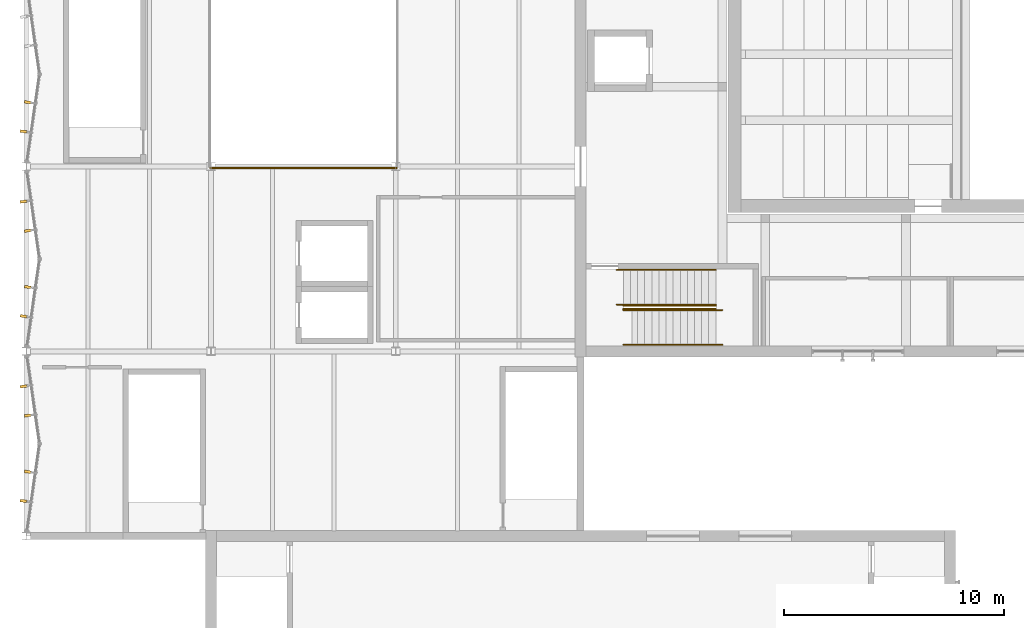
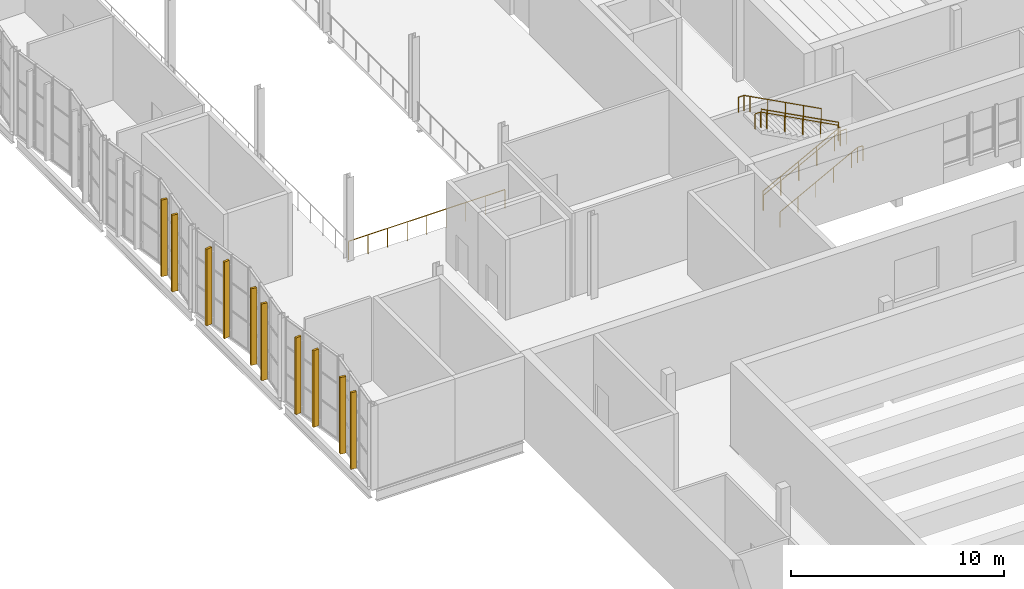
# One storey, part 103 of 116: 10 shading devices, 7 railings.
"""IFC4 building model written with IfcOpenShell, lengths in metres."""

import ifcopenshell
import ifcopenshell.guid

model = None  # the IFC model being written
_history = None  # IfcOwnerHistory: only IFC2X3 demands one
_inside = {}  # id of a spatial element -> (the spatial element, [elements in it])
_under = {}  # id of a project, library or spatial element -> (it, [spatial elements below it])
_declared = {}  # id of a project -> (the project, [libraries it declares])
_typed = {}  # id of a type object -> (the type object, [elements of that type])
_made_of = {}  # id of a material, layer set ... -> (it, [elements and type objects made of it])


def new_model(schema):
    """Start an empty IFC model of exactly this schema.

    Asked for "IFC4X3", IfcOpenShell would pick the latest addendum, in which some entities
    have other attributes; the version numbers below select the first issue.
    IFC2X3 requires an IfcOwnerHistory on every rooted entity: one is made here for all.
    """
    global model, _history
    if schema == "IFC4X3":
        model = ifcopenshell.file(schema_version=(4, 3, 0, 0))
    else:
        model = ifcopenshell.file(schema=schema)
    _inside.clear()
    _under.clear()
    _declared.clear()
    _typed.clear()
    _made_of.clear()
    _history = None
    if model.schema == "IFC2X3":
        org = make("IfcOrganization", Name="unknown")
        user = make(
            "IfcPersonAndOrganization",
            ThePerson=make("IfcPerson", FamilyName="unknown"),
            TheOrganization=org,
        )
        app = make(
            "IfcApplication",
            ApplicationDeveloper=org,
            Version="unknown",
            ApplicationFullName="unknown",
            ApplicationIdentifier="unknown",
        )
        _history = make(
            "IfcOwnerHistory",
            OwningUser=user,
            OwningApplication=app,
            ChangeAction="ADDED",
            CreationDate=0,
        )
    return model


def make(cls, **values):
    """One entity of the class cls with the attributes given. An attribute that is None is left unset."""
    return model.create_entity(
        cls, **{name: value for name, value in values.items() if value is not None}
    )


def rooted(cls, **values):
    """An entity with a GlobalId (a new one), such as an element, a storey or a relation."""
    return make(cls, GlobalId=ifcopenshell.guid.new(), OwnerHistory=_history, **values)


def si_unit(unit_type, name, prefix=None):
    """IfcSIUnit, for example si_unit("LENGTHUNIT", "METRE", prefix="MILLI")."""
    return make("IfcSIUnit", UnitType=unit_type, Prefix=prefix, Name=name)


def assignment(units):
    """IfcUnitAssignment: the units of a project."""
    return None if units is None else make("IfcUnitAssignment", Units=units)


def point(xyz):
    """IfcCartesianPoint."""
    return None if xyz is None else make("IfcCartesianPoint", Coordinates=xyz)


def direction(xyz):
    """IfcDirection."""
    return None if xyz is None else make("IfcDirection", DirectionRatios=xyz)


def frame(location, z_axis=None, x_axis=None):
    """IfcAxis2Placement3D, a coordinate frame: its origin and axes. An axis left out is left unset."""
    return make(
        "IfcAxis2Placement3D",
        Location=point(location),
        Axis=direction(z_axis),
        RefDirection=direction(x_axis),
    )


def frame_2d(location, x_axis=None):
    """IfcAxis2Placement2D, a coordinate frame in the plane: its origin and x axis."""
    return make(
        "IfcAxis2Placement2D", Location=point(location), RefDirection=direction(x_axis)
    )


def origin():
    """The frame at (0, 0, 0) with its axes left unset."""
    return frame((0.0, 0.0, 0.0))


def origin_2d():
    """The frame at (0, 0) in the plane with its x axis left unset."""
    return frame_2d((0.0, 0.0))


def place(relative_to, where):
    """IfcLocalPlacement: puts the frame where relative to a parent placement (None: the world)."""
    return make(
        "IfcLocalPlacement", PlacementRelTo=relative_to, RelativePlacement=where
    )


def context(
    kind, dimensions, precision=None, world=None, true_north=None, identifier=None
):
    """IfcGeometricRepresentationContext, for example the 3D "Model" context."""
    return make(
        "IfcGeometricRepresentationContext",
        ContextIdentifier=identifier,
        ContextType=kind,
        CoordinateSpaceDimension=dimensions,
        Precision=precision,
        WorldCoordinateSystem=world,
        TrueNorth=true_north,
    )


def subcontext(parent, identifier, kind, view, scale=None):
    """IfcGeometricRepresentationSubContext, for example "Body" below "Model"."""
    return make(
        "IfcGeometricRepresentationSubContext",
        ContextIdentifier=identifier,
        ContextType=kind,
        ParentContext=parent,
        TargetScale=scale,
        TargetView=view,
    )


def project(units=None, contexts=None):
    """IfcProject with its units and contexts."""
    return rooted(
        "IfcProject",
        Name="project",
        RepresentationContexts=contexts,
        UnitsInContext=assignment(units),
    )


def spatial(cls, under=None, at=None, **own):
    """A site, building, storey or space (cls), placed at a placement, below another one or the project."""
    s = rooted(cls, ObjectPlacement=at, **own)
    if under is not None:
        _under.setdefault(under.id(), (under, []))[1].append(s)
    return s


def profile(cls, at=None, kind="AREA", **sizes):
    """A parametric profile (cls). Its sizes go by their IFC names, for example OverallWidth=200.0."""
    return make(cls, ProfileType=kind, Position=at, **sizes)


def rectangle(**sizes):
    """IfcRectangleProfileDef."""
    return profile("IfcRectangleProfileDef", **sizes)


def circle(**sizes):
    """IfcCircleProfileDef."""
    return profile("IfcCircleProfileDef", **sizes)


def extrude(swept, where, along, depth):
    """IfcExtrudedAreaSolid: the profile swept, set in the frame where, extruded along a direction by depth."""
    return make(
        "IfcExtrudedAreaSolid",
        SweptArea=swept,
        Position=where,
        ExtrudedDirection=direction(along),
        Depth=depth,
    )


def shape(context_of_items, identifier, shape_type, items):
    """IfcShapeRepresentation: the items that make up one representation, for example the "Body"."""
    return make(
        "IfcShapeRepresentation",
        ContextOfItems=context_of_items,
        RepresentationIdentifier=identifier,
        RepresentationType=shape_type,
        Items=items,
    )


def material(Name=None, Category=None):
    """IfcMaterial."""
    return make("IfcMaterial", Name=Name, Category=Category)


def made_of(thing, what):
    """Note that an element or type object is made of a material, layer set ...; save() writes the relation."""
    if what is not None:
        _made_of.setdefault(what.id(), (what, []))[1].append(thing)
    return thing


def type_object(cls, material=None, **own):
    """A type object (cls), such as IfcWallType, which elements share."""
    return made_of(rooted(cls, **own), material)


def element(
    cls,
    number,
    at=None,
    inside=None,
    cuts=None,
    type_object=None,
    material=None,
    context=None,
    identifier="Body",
    shape_type=None,
    held_by="IfcProductDefinitionShape",
    body=None,
    shapes=None,
    **own,
):
    """One element of the class cls, such as IfcWall. Its Tag is "e" and its number.

    at: its placement. inside: the storey or other place that contains it. cuts: it is an
    opening in that element (IfcRelVoidsElement). A single representation is given by context,
    identifier, shape_type and body (its items); several are given by shapes. held_by: the class
    of the entity that holds the representations. save() writes the other relations.
    """
    e = rooted(cls, Tag="e%d" % number, ObjectPlacement=at, **own)
    if body is not None:
        shapes = [shape(context, identifier, shape_type, body)]
    if shapes is not None:
        e.Representation = make(held_by, Representations=shapes)
    if inside is not None:
        _inside.setdefault(inside.id(), (inside, []))[1].append(e)
    if cuts is not None:
        rooted(
            "IfcRelVoidsElement", RelatingBuildingElement=cuts, RelatedOpeningElement=e
        )
    if type_object is not None:
        _typed.setdefault(type_object.id(), (type_object, []))[1].append(e)
    return made_of(e, material)


def aggregate(whole, parts):
    """IfcRelAggregates: a whole, such as a stair, and the parts it consists of."""
    return rooted("IfcRelAggregates", RelatingObject=whole, RelatedObjects=parts)


def save(model, path):
    """Write the relations noted so far, then the file.

    IfcRelAggregates (storeys below a building ...), IfcRelContainedInSpatialStructure (elements
    in a storey), IfcRelDefinesByType, IfcRelAssociatesMaterial and IfcRelDeclares: one each for
    every whole, place, type object, material and project.
    """
    for whole, parts in _under.values():
        aggregate(whole, parts)
    for where, things in _inside.values():
        rooted(
            "IfcRelContainedInSpatialStructure",
            RelatedElements=things,
            RelatingStructure=where,
        )
    for kind, things in _typed.values():
        rooted("IfcRelDefinesByType", RelatedObjects=things, RelatingType=kind)
    for what, things in _made_of.values():
        rooted("IfcRelAssociatesMaterial", RelatedObjects=things, RelatingMaterial=what)
    for by, libraries in _declared.values():
        rooted("IfcRelDeclares", RelatingContext=by, RelatedDefinitions=libraries)
    model.write(path)


model = new_model("IFC4")

# Units and contexts
model_context = context("Model", 3, precision=1e-05, world=origin(), true_north=direction((0.0, 1.0)))
body_context = subcontext(model_context, "Body", "Model", "MODEL_VIEW")
ifc_project = project(units=[si_unit("LENGTHUNIT", "METRE"), si_unit("AREAUNIT", "SQUARE_METRE"), si_unit("VOLUMEUNIT", "CUBIC_METRE"), si_unit("PLANEANGLEUNIT", "RADIAN"), si_unit("MASSUNIT", "GRAM", prefix="KILO")], contexts=[model_context])

# Site, building, storey
site_placement = place(None, origin())
site = spatial("IfcSite", under=ifc_project, at=site_placement, CompositionType="ELEMENT")
building_placement = place(site_placement, origin())
building = spatial("IfcBuilding", under=site, at=building_placement, Name="Ljudholm Concert House", CompositionType="ELEMENT")
storey_placement = place(building_placement, frame((0.0, 0.0, 10.199951171875)))
storey = spatial("IfcBuildingStorey", under=building, at=storey_placement, Name="L02", CompositionType="ELEMENT", Elevation=10.199951171875)

# Shading devices
ifc_material_1 = material(Name="Aluminium extrusion with timber-grain PVDF finish", Category="aluminium")
shading_device_type = type_object("IfcShadingDeviceType", Name="FACADE FIN 300x120", PredefinedType="SHUTTER", material=ifc_material_1)
for number, where, z_axis, x_axis, name in (
    (1, (3.874267578125, 47.5947265625, 0.2001953125), (0.0, 0.0, 1.0), (-0.989949493662, 0.141421356235, 0.0), "Facade fin"),
    (2, (4.06396484375, 48.922119140625, 0.2001953125), (0.0, 0.0, 1.0), (-0.989949493662, 0.141421356235, 0.0), "Facade fin"),
    (3, (4.06396484375, 51.47802734375, 0.2001953125), (0.0, 0.0, 1.0), (-0.989949493662, -0.141421356235, 0.0), "Facade fin"),
    (4, (3.874267578125, 52.805419921875, 0.2001953125), (0.0, 0.0, 1.0), (-0.989949493662, -0.141421356235, 0.0), "Facade fin"),
    (5, (3.874267578125, 55.99462890625, 0.2001953125), (0.0, 0.0, 1.0), (-0.989949493662, 0.141421356235, 0.0), "Facade fin"),
    (6, (4.06396484375, 57.322021484375, 0.2001953125), (0.0, 0.0, 1.0), (-0.989949493662, 0.141421356235, 0.0), "Facade fin"),
    (7, (4.06396484375, 59.8779296875, 0.2001953125), (0.0, 0.0, 1.0), (-0.989949493662, -0.141421356235, 0.0), "Facade fin"),
    (8, (3.874267578125, 61.205322265625, 0.2001953125), (0.0, 0.0, 1.0), (-0.989949493662, -0.141421356235, 0.0), "Facade fin"),
    (9, (3.874267578125, 64.394775390625, 0.2001953125), (0.0, 0.0, 1.0), (-0.989949493662, 0.141421356235, 0.0), "Facade fin"),
    (10, (4.06396484375, 65.72216796875, 0.2001953125), (0.0, 0.0, 1.0), (-0.989949493662, 0.141421356235, 0.0), "Facade fin"),
):
    element("IfcShadingDevice", number, at=place(storey_placement, frame(where, z_axis=z_axis, x_axis=x_axis)), inside=storey, type_object=shading_device_type, Name=name, PredefinedType="SHUTTER", context=body_context, shape_type="SweptSolid", body=[
        extrude(rectangle(XDim=0.300048828125, YDim=0.1201171875, at=origin_2d()), origin(), (0.0, 0.0, 1.0), 4.39990234375),
    ])

# Railings
ifc_material_2 = material(Name="Steel ASTM A36", Category="steel")
railing_type_1 = type_object("IfcRailingType", Name="GUARD 1100", PredefinedType="GUARDRAIL", material=ifc_material_2)
railing_1_placement = place(storey_placement, frame((31.14990234375, 56.324951171875, 0.17138671875)))
element("IfcRailing", 11, at=railing_1_placement, inside=storey, type_object=railing_type_1, Name="Guard", PredefinedType="GUARDRAIL", context=body_context, shape_type="SweptSolid", body=[
    extrude(circle(Radius=0.02490234375, at=origin_2d()), frame((0.0, 0.0, 1.0751953125), z_axis=(0.883305776083, 0.0, 0.468797297281), x_axis=(0.0, 1.0, 0.0)), (0.0, 0.0, 1.0), 1.09716796875),
    extrude(circle(Radius=0.02490234375, at=origin_2d()), frame((0.96923828125, 0.0, 1.58935546875), z_axis=(0.883397901953, 0.0, 0.468623672925), x_axis=(0.0, 1.0, 0.0)), (0.0, 0.0, 1.0), 1.09716796875),
    extrude(circle(Radius=0.02490234375, at=origin_2d()), frame((1.9384765625, 0.0, 2.103515625), z_axis=(0.883305776083, 0.0, 0.468797297281), x_axis=(0.0, 1.0, 0.0)), (0.0, 0.0, 1.0), 1.09716796875),
    extrude(circle(Radius=0.02490234375, at=origin_2d()), frame((2.90771484375, 0.0, 2.6181640625), z_axis=(0.883397901953, 0.0, 0.468623672925), x_axis=(0.0, 1.0, 0.0)), (0.0, 0.0, 1.0), 1.09716796875),
    extrude(circle(Radius=0.02490234375, at=origin_2d()), frame((3.876953125, 0.0, 3.13232421875), z_axis=(0.883219342352, 0.0, 0.468960119089), x_axis=(0.0, 1.0, 0.0)), (0.0, 0.0, 1.0), 0.365966796875),
    extrude(circle(Radius=0.02099609375, at=origin_2d()), origin(), (0.0, 0.0, 1.0), 1.050048828125),
    extrude(circle(Radius=0.02099609375, at=origin_2d()), frame((0.96923828125, 0.0, 0.514404296875)), (0.0, 0.0, 1.0), 1.050048828125),
    extrude(circle(Radius=0.02099609375, at=origin_2d()), frame((1.9384765625, 0.0, 1.028564453125)), (0.0, 0.0, 1.0), 1.050048828125),
    extrude(circle(Radius=0.02099609375, at=origin_2d()), frame((2.90771484375, 0.0, 1.54296875)), (0.0, 0.0, 1.0), 1.050048828125),
    extrude(circle(Radius=0.02099609375, at=origin_2d()), frame((3.876953125, 0.0, 2.05712890625)), (0.0, 0.0, 1.0), 1.050048828125),
    extrude(circle(Radius=0.02099609375, at=origin_2d()), frame((4.2001953125, 0.0, 2.228759765625)), (0.0, 0.0, 1.0), 1.050048828125),
])
railing_2_placement = place(storey_placement, frame((35.35009765625, 56.47509765625, 2.571533203125)))
element("IfcRailing", 12, at=railing_2_placement, inside=storey, type_object=railing_type_1, Name="Guard", PredefinedType="GUARDRAIL", context=body_context, shape_type="SweptSolid", body=[
    extrude(circle(Radius=0.02490234375, at=origin_2d()), frame((0.0, 0.0, 1.0751953125), z_axis=(-0.883397901953, 0.0, 0.468623672925), x_axis=(0.0, -1.0, 0.0)), (0.0, 0.0, 1.0), 1.09716796875),
    extrude(circle(Radius=0.02490234375, at=origin_2d()), frame((-0.96923828125, 0.0, 1.58935546875), z_axis=(-0.883305776083, 0.0, 0.468797297281), x_axis=(0.0, -1.0, 0.0)), (0.0, 0.0, 1.0), 1.09716796875),
    extrude(circle(Radius=0.02490234375, at=origin_2d()), frame((-1.9384765625, 0.0, 2.103515625), z_axis=(-0.883397901953, 0.0, 0.468623672925), x_axis=(0.0, -1.0, 0.0)), (0.0, 0.0, 1.0), 1.09716796875),
    extrude(circle(Radius=0.02490234375, at=origin_2d()), frame((-2.90771484375, 0.0, 2.61767578125), z_axis=(-0.883305776083, 0.0, 0.468797297281), x_axis=(0.0, -1.0, 0.0)), (0.0, 0.0, 1.0), 1.09716796875),
    extrude(circle(Radius=0.02490234375, at=origin_2d()), frame((-3.876953125, 0.0, 3.13232421875), z_axis=(-0.883495578036, 0.0, 0.468439498324), x_axis=(0.0, -1.0, 0.0)), (0.0, 0.0, 1.0), 0.365966796875),
    extrude(circle(Radius=0.02099609375, at=origin_2d()), origin(), (0.0, 0.0, 1.0), 1.050048828125),
    extrude(circle(Radius=0.02099609375, at=origin_2d()), frame((-0.96923828125, 0.0, 0.51416015625)), (0.0, 0.0, 1.0), 1.050048828125),
    extrude(circle(Radius=0.02099609375, at=origin_2d()), frame((-1.9384765625, 0.0, 1.028564453125)), (0.0, 0.0, 1.0), 1.050048828125),
    extrude(circle(Radius=0.02099609375, at=origin_2d()), frame((-2.90771484375, 0.0, 1.542724609375)), (0.0, 0.0, 1.0), 1.050048828125),
    extrude(circle(Radius=0.02099609375, at=origin_2d()), frame((-3.876953125, 0.0, 2.05712890625)), (0.0, 0.0, 1.0), 1.050048828125),
    extrude(circle(Radius=0.02099609375, at=origin_2d()), frame((-4.2001953125, 0.0, 2.228515625)), (0.0, 0.0, 1.0), 1.050048828125),
])
railing_3_placement = place(storey_placement, frame((12.360107421875, 62.72998046875, 0.0)))
element("IfcRailing", 13, at=railing_3_placement, inside=storey, type_object=railing_type_1, Name="Atrium guard", PredefinedType="GUARDRAIL", context=body_context, shape_type="SweptSolid", body=[
    extrude(circle(Radius=0.02490234375, at=origin_2d()), frame((0.0, 0.0, 1.0751953125), z_axis=(1.0, 0.0, 0.0), x_axis=(0.0, 1.0, 0.0)), (0.0, 0.0, 1.0), 8.47998046875),
    extrude(circle(Radius=0.02099609375, at=origin_2d()), origin(), (0.0, 0.0, 1.0), 1.050048828125),
    extrude(circle(Radius=0.02099609375, at=origin_2d()), frame((1.06005859375, 0.0, 0.0)), (0.0, 0.0, 1.0), 1.050048828125),
    extrude(circle(Radius=0.02099609375, at=origin_2d()), frame((2.1201171875, 0.0, 0.0)), (0.0, 0.0, 1.0), 1.050048828125),
    extrude(circle(Radius=0.02099609375, at=origin_2d()), frame((3.179931640625, 0.0, 0.0)), (0.0, 0.0, 1.0), 1.050048828125),
    extrude(circle(Radius=0.02099609375, at=origin_2d()), frame((4.239990234375, 0.0, 0.0)), (0.0, 0.0, 1.0), 1.050048828125),
    extrude(circle(Radius=0.02099609375, at=origin_2d()), frame((5.300048828125, 0.0, 0.0)), (0.0, 0.0, 1.0), 1.050048828125),
    extrude(circle(Radius=0.02099609375, at=origin_2d()), frame((6.35986328125, 0.0, 0.0)), (0.0, 0.0, 1.0), 1.050048828125),
    extrude(circle(Radius=0.02099609375, at=origin_2d()), frame((7.419921875, 0.0, 0.0)), (0.0, 0.0, 1.0), 1.050048828125),
    extrude(circle(Radius=0.02099609375, at=origin_2d()), frame((8.47998046875, 0.0, 0.0)), (0.0, 0.0, 1.0), 1.050048828125),
])
ifc_material_3 = material(Name="Steel ASTM A36", Category="steel")
railing_type_2 = type_object("IfcRailingType", Name="HANDRAIL 900", PredefinedType="HANDRAIL", material=ifc_material_3)
railing_4_placement = place(storey_placement, frame((31.14990234375, 56.27490234375, 0.17138671875)))
element("IfcRailing", 14, at=railing_4_placement, inside=storey, type_object=railing_type_2, Name="Handrail", PredefinedType="HANDRAIL", context=body_context, shape_type="SweptSolid", body=[
    extrude(circle(Radius=0.0224609375, at=origin_2d()), frame((0.0, 0.0, 0.87744140625), z_axis=(0.883305776083, 0.0, 0.468797297281), x_axis=(0.0, 1.0, 0.0)), (0.0, 0.0, 1.0), 1.09716796875),
    extrude(circle(Radius=0.0224609375, at=origin_2d()), frame((0.96923828125, 0.0, 1.391845703125), z_axis=(0.883397901953, 0.0, 0.468623672925), x_axis=(0.0, 1.0, 0.0)), (0.0, 0.0, 1.0), 1.09716796875),
    extrude(circle(Radius=0.0224609375, at=origin_2d()), frame((1.9384765625, 0.0, 1.906005859375), z_axis=(0.883305776083, 0.0, 0.468797297281), x_axis=(0.0, 1.0, 0.0)), (0.0, 0.0, 1.0), 1.09716796875),
    extrude(circle(Radius=0.0224609375, at=origin_2d()), frame((2.90771484375, 0.0, 2.42041015625), z_axis=(0.883397901953, 0.0, 0.468623672925), x_axis=(0.0, 1.0, 0.0)), (0.0, 0.0, 1.0), 1.09716796875),
    extrude(circle(Radius=0.0224609375, at=origin_2d()), frame((3.876953125, 0.0, 2.9345703125), z_axis=(0.883219342352, 0.0, 0.468960119089), x_axis=(0.0, 1.0, 0.0)), (0.0, 0.0, 1.0), 0.365966796875),
    extrude(circle(Radius=0.0224609375, at=origin_2d()), frame((4.2001953125, 0.0, 3.106201171875), z_axis=(1.0, 0.0, 0.0), x_axis=(0.0, 1.0, 0.0)), (0.0, 0.0, 1.0), 0.2998046875),
    extrude(circle(Radius=0.02099609375, at=origin_2d()), origin(), (0.0, 0.0, 1.0), 0.85498046875),
    extrude(circle(Radius=0.02099609375, at=origin_2d()), frame((0.96923828125, 0.0, 0.514404296875)), (0.0, 0.0, 1.0), 0.85498046875),
    extrude(circle(Radius=0.02099609375, at=origin_2d()), frame((1.9384765625, 0.0, 1.028564453125)), (0.0, 0.0, 1.0), 0.85498046875),
    extrude(circle(Radius=0.02099609375, at=origin_2d()), frame((2.90771484375, 0.0, 1.54296875)), (0.0, 0.0, 1.0), 0.85498046875),
    extrude(circle(Radius=0.02099609375, at=origin_2d()), frame((3.876953125, 0.0, 2.05712890625)), (0.0, 0.0, 1.0), 0.85498046875),
    extrude(circle(Radius=0.02099609375, at=origin_2d()), frame((4.2001953125, 0.0, 2.228759765625)), (0.0, 0.0, 1.0), 0.85498046875),
    extrude(circle(Radius=0.02099609375, at=origin_2d()), frame((4.5, 0.0, 2.228759765625)), (0.0, 0.0, 1.0), 0.85498046875),
])
railing_5_placement = place(storey_placement, frame((31.14990234375, 54.699951171875, 0.17138671875)))
element("IfcRailing", 15, at=railing_5_placement, inside=storey, type_object=railing_type_2, Name="Handrail", PredefinedType="HANDRAIL", context=body_context, shape_type="SweptSolid", body=[
    extrude(circle(Radius=0.0224609375, at=origin_2d()), frame((0.0, 0.0, 0.87744140625), z_axis=(0.883305776083, 0.0, 0.468797297281), x_axis=(0.0, 1.0, 0.0)), (0.0, 0.0, 1.0), 1.09716796875),
    extrude(circle(Radius=0.0224609375, at=origin_2d()), frame((0.96923828125, 0.0, 1.391845703125), z_axis=(0.883397901953, 0.0, 0.468623672925), x_axis=(0.0, 1.0, 0.0)), (0.0, 0.0, 1.0), 1.09716796875),
    extrude(circle(Radius=0.0224609375, at=origin_2d()), frame((1.9384765625, 0.0, 1.906005859375), z_axis=(0.883305776083, 0.0, 0.468797297281), x_axis=(0.0, 1.0, 0.0)), (0.0, 0.0, 1.0), 1.09716796875),
    extrude(circle(Radius=0.0224609375, at=origin_2d()), frame((2.90771484375, 0.0, 2.42041015625), z_axis=(0.883397901953, 0.0, 0.468623672925), x_axis=(0.0, 1.0, 0.0)), (0.0, 0.0, 1.0), 1.09716796875),
    extrude(circle(Radius=0.0224609375, at=origin_2d()), frame((3.876953125, 0.0, 2.9345703125), z_axis=(0.883219342352, 0.0, 0.468960119089), x_axis=(0.0, 1.0, 0.0)), (0.0, 0.0, 1.0), 0.365966796875),
    extrude(circle(Radius=0.0224609375, at=origin_2d()), frame((4.2001953125, 0.0, 3.106201171875), z_axis=(1.0, 0.0, 0.0), x_axis=(0.0, 1.0, 0.0)), (0.0, 0.0, 1.0), 0.2998046875),
    extrude(circle(Radius=0.02099609375, at=origin_2d()), origin(), (0.0, 0.0, 1.0), 0.85498046875),
    extrude(circle(Radius=0.02099609375, at=origin_2d()), frame((0.96923828125, 0.0, 0.514404296875)), (0.0, 0.0, 1.0), 0.85498046875),
    extrude(circle(Radius=0.02099609375, at=origin_2d()), frame((1.9384765625, 0.0, 1.028564453125)), (0.0, 0.0, 1.0), 0.85498046875),
    extrude(circle(Radius=0.02099609375, at=origin_2d()), frame((2.90771484375, 0.0, 1.54296875)), (0.0, 0.0, 1.0), 0.85498046875),
    extrude(circle(Radius=0.02099609375, at=origin_2d()), frame((3.876953125, 0.0, 2.05712890625)), (0.0, 0.0, 1.0), 0.85498046875),
    extrude(circle(Radius=0.02099609375, at=origin_2d()), frame((4.2001953125, 0.0, 2.228759765625)), (0.0, 0.0, 1.0), 0.85498046875),
    extrude(circle(Radius=0.02099609375, at=origin_2d()), frame((4.5, 0.0, 2.228759765625)), (0.0, 0.0, 1.0), 0.85498046875),
])
railing_6_placement = place(storey_placement, frame((35.35009765625, 56.52490234375, 2.571533203125)))
element("IfcRailing", 16, at=railing_6_placement, inside=storey, type_object=railing_type_2, Name="Handrail", PredefinedType="HANDRAIL", context=body_context, shape_type="SweptSolid", body=[
    extrude(circle(Radius=0.0224609375, at=origin_2d()), frame((0.0, 0.0, 0.87744140625), z_axis=(-0.883397901953, 0.0, 0.468623672925), x_axis=(0.0, -1.0, 0.0)), (0.0, 0.0, 1.0), 1.09716796875),
    extrude(circle(Radius=0.0224609375, at=origin_2d()), frame((-0.96923828125, 0.0, 1.3916015625), z_axis=(-0.883305776083, 0.0, 0.468797297281), x_axis=(0.0, -1.0, 0.0)), (0.0, 0.0, 1.0), 1.09716796875),
    extrude(circle(Radius=0.0224609375, at=origin_2d()), frame((-1.9384765625, 0.0, 1.906005859375), z_axis=(-0.883397901953, 0.0, 0.468623672925), x_axis=(0.0, -1.0, 0.0)), (0.0, 0.0, 1.0), 1.09716796875),
    extrude(circle(Radius=0.0224609375, at=origin_2d()), frame((-2.90771484375, 0.0, 2.420166015625), z_axis=(-0.883305776083, 0.0, 0.468797297281), x_axis=(0.0, -1.0, 0.0)), (0.0, 0.0, 1.0), 1.09716796875),
    extrude(circle(Radius=0.0224609375, at=origin_2d()), frame((-3.876953125, 0.0, 2.9345703125), z_axis=(-0.883495578036, 0.0, 0.468439498324), x_axis=(0.0, -1.0, 0.0)), (0.0, 0.0, 1.0), 0.365966796875),
    extrude(circle(Radius=0.0224609375, at=origin_2d()), frame((-4.2001953125, 0.0, 3.10595703125), z_axis=(-1.0, 0.0, 0.0), x_axis=(0.0, -1.0, 0.0)), (0.0, 0.0, 1.0), 0.2998046875),
    extrude(circle(Radius=0.02099609375, at=origin_2d()), origin(), (0.0, 0.0, 1.0), 0.85498046875),
    extrude(circle(Radius=0.02099609375, at=origin_2d()), frame((-0.96923828125, 0.0, 0.51416015625)), (0.0, 0.0, 1.0), 0.85498046875),
    extrude(circle(Radius=0.02099609375, at=origin_2d()), frame((-1.9384765625, 0.0, 1.028564453125)), (0.0, 0.0, 1.0), 0.85498046875),
    extrude(circle(Radius=0.02099609375, at=origin_2d()), frame((-2.90771484375, 0.0, 1.542724609375)), (0.0, 0.0, 1.0), 0.85498046875),
    extrude(circle(Radius=0.02099609375, at=origin_2d()), frame((-3.876953125, 0.0, 2.05712890625)), (0.0, 0.0, 1.0), 0.85498046875),
    extrude(circle(Radius=0.02099609375, at=origin_2d()), frame((-4.2001953125, 0.0, 2.228515625)), (0.0, 0.0, 1.0), 0.85498046875),
    extrude(circle(Radius=0.02099609375, at=origin_2d()), frame((-4.5, 0.0, 2.228515625)), (0.0, 0.0, 1.0), 0.85498046875),
])
railing_7_placement = place(storey_placement, frame((35.35009765625, 58.10009765625, 2.571533203125)))
element("IfcRailing", 17, at=railing_7_placement, inside=storey, type_object=railing_type_2, Name="Handrail", PredefinedType="HANDRAIL", context=body_context, shape_type="SweptSolid", body=[
    extrude(circle(Radius=0.0224609375, at=origin_2d()), frame((0.0, 0.0, 0.87744140625), z_axis=(-0.883397901953, 0.0, 0.468623672925), x_axis=(0.0, -1.0, 0.0)), (0.0, 0.0, 1.0), 1.09716796875),
    extrude(circle(Radius=0.0224609375, at=origin_2d()), frame((-0.96923828125, 0.0, 1.3916015625), z_axis=(-0.883305776083, 0.0, 0.468797297281), x_axis=(0.0, -1.0, 0.0)), (0.0, 0.0, 1.0), 1.09716796875),
    extrude(circle(Radius=0.0224609375, at=origin_2d()), frame((-1.9384765625, 0.0, 1.906005859375), z_axis=(-0.883397901953, 0.0, 0.468623672925), x_axis=(0.0, -1.0, 0.0)), (0.0, 0.0, 1.0), 1.09716796875),
    extrude(circle(Radius=0.0224609375, at=origin_2d()), frame((-2.90771484375, 0.0, 2.420166015625), z_axis=(-0.883305776083, 0.0, 0.468797297281), x_axis=(0.0, -1.0, 0.0)), (0.0, 0.0, 1.0), 1.09716796875),
    extrude(circle(Radius=0.0224609375, at=origin_2d()), frame((-3.876953125, 0.0, 2.9345703125), z_axis=(-0.883495578036, 0.0, 0.468439498324), x_axis=(0.0, -1.0, 0.0)), (0.0, 0.0, 1.0), 0.365966796875),
    extrude(circle(Radius=0.0224609375, at=origin_2d()), frame((-4.2001953125, 0.0, 3.10595703125), z_axis=(-1.0, 0.0, 0.0), x_axis=(0.0, -1.0, 0.0)), (0.0, 0.0, 1.0), 0.2998046875),
    extrude(circle(Radius=0.02099609375, at=origin_2d()), origin(), (0.0, 0.0, 1.0), 0.85498046875),
    extrude(circle(Radius=0.02099609375, at=origin_2d()), frame((-0.96923828125, 0.0, 0.51416015625)), (0.0, 0.0, 1.0), 0.85498046875),
    extrude(circle(Radius=0.02099609375, at=origin_2d()), frame((-1.9384765625, 0.0, 1.028564453125)), (0.0, 0.0, 1.0), 0.85498046875),
    extrude(circle(Radius=0.02099609375, at=origin_2d()), frame((-2.90771484375, 0.0, 1.542724609375)), (0.0, 0.0, 1.0), 0.85498046875),
    extrude(circle(Radius=0.02099609375, at=origin_2d()), frame((-3.876953125, 0.0, 2.05712890625)), (0.0, 0.0, 1.0), 0.85498046875),
    extrude(circle(Radius=0.02099609375, at=origin_2d()), frame((-4.2001953125, 0.0, 2.228515625)), (0.0, 0.0, 1.0), 0.85498046875),
    extrude(circle(Radius=0.02099609375, at=origin_2d()), frame((-4.5, 0.0, 2.228515625)), (0.0, 0.0, 1.0), 0.85498046875),
])

save(model, "model.ifc")
